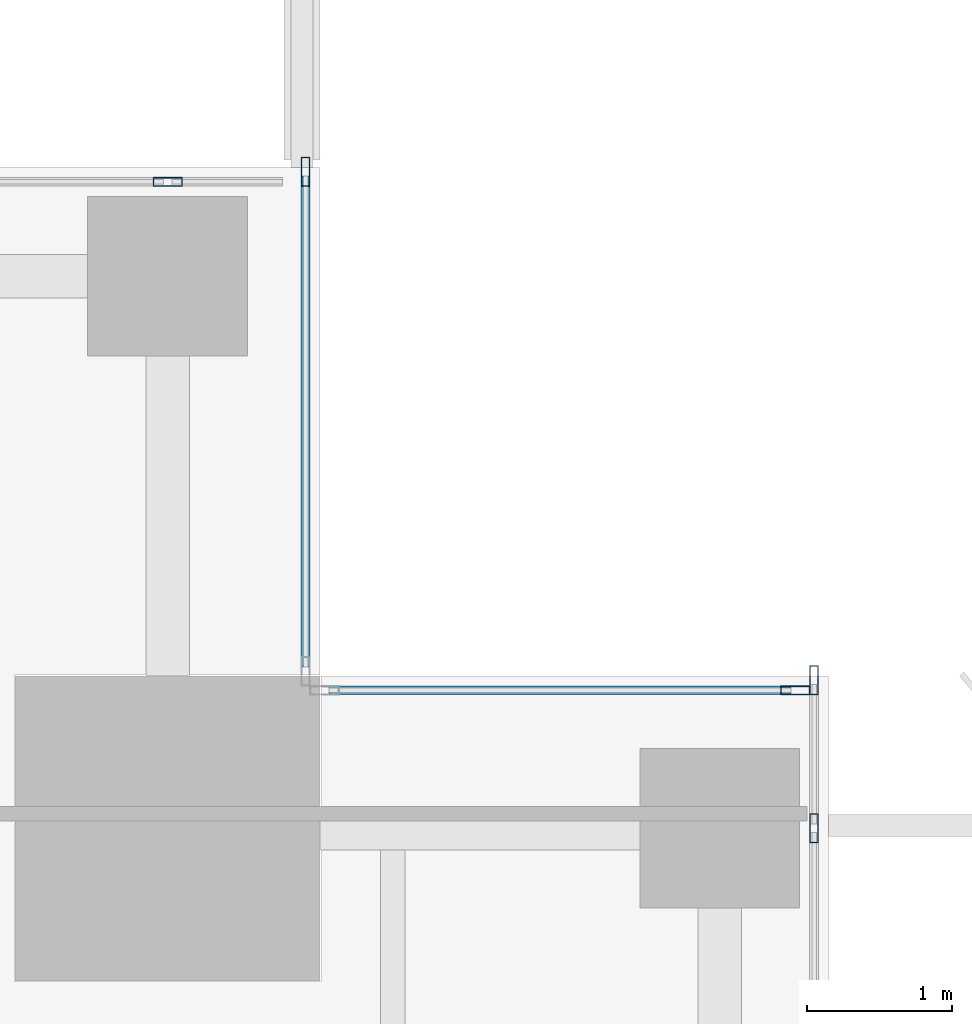
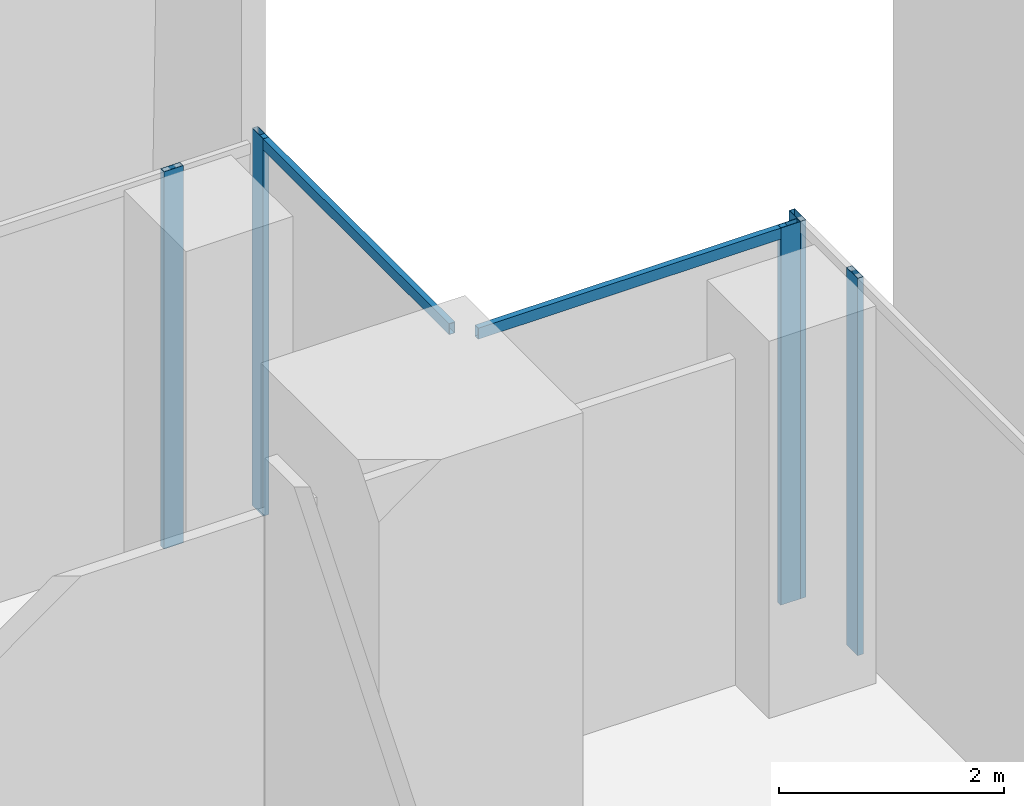
# One storey, part 21 of 36: 7 members, 4 elements without a shape of their own.
"""IFC4 building model written with IfcOpenShell, lengths in metres."""

from ifc_helpers import new_model, si_unit, direction, frame, origin, origin_2d, place, context, subcontext, project, spatial, hollow_rectangle, extrude, source, transform, mapped, material, material_profile, profile_set, type_object, element, aggregate, save


model = new_model("IFC4")

# Units and contexts
model_context = context("Model", 3, precision=1e-05, world=origin(), true_north=direction((0.0, 1.0)))
body_context = subcontext(model_context, "Body", "Model", "MODEL_VIEW")
ifc_project = project(units=[si_unit("LENGTHUNIT", "METRE"), si_unit("AREAUNIT", "SQUARE_METRE"), si_unit("VOLUMEUNIT", "CUBIC_METRE"), si_unit("PLANEANGLEUNIT", "RADIAN"), si_unit("MASSUNIT", "GRAM", prefix="KILO")], contexts=[model_context])

# Site, building, storey
site_placement = place(None, origin())
site = spatial("IfcSite", under=ifc_project, at=site_placement, CompositionType="ELEMENT")
building_placement = place(site_placement, origin())
building = spatial("IfcBuilding", under=site, at=building_placement, Name="Khomas Fold Tower", CompositionType="ELEMENT")
storey_placement = place(building_placement, frame((0.0, 0.0, 141.10009765625)))
storey = spatial("IfcBuildingStorey", under=building, at=storey_placement, Name="L30", CompositionType="ELEMENT", Elevation=141.10009765625)

# Curtain wall, member
ifc_material_1 = material(Name="Aluminium framed double glazing", Category="aluminium")
curtain_wall_type = type_object("IfcCurtainWallType", Name="SK-Unitised clear-glass wall, growing floors CW1", PredefinedType="NOTDEFINED", material=ifc_material_1)
curtain_wall_1_placement = place(storey_placement, origin())
curtain_wall_1 = element("IfcCurtainWall", 1, at=curtain_wall_1_placement, inside=storey, type_object=curtain_wall_type, Name="CW1 corner return L30 04", PredefinedType="NOTDEFINED")
ifc_material_2 = material(Name="Aluminium", Category="aluminium")
ifc_material_profile_1 = material_profile(ifc_material_2, hollow_rectangle(XDim=0.06005859375, YDim=0.1201171875, WallThickness=0.00390625, at=origin_2d()), Name="SK-Unitised clear-glass wall, growing floors transom CW1-T")
ifc_profile_set_1 = profile_set([ifc_material_profile_1], Name="Aluminium")
member_type_1 = type_object("IfcMemberType", Name="SK-Unitised clear-glass wall, growing floors transom CW1-T", PredefinedType="USERDEFINED", material=ifc_profile_set_1)
shared_shape_1 = source(origin(), body_context, "Body", "SweptSolid", [
    extrude(hollow_rectangle(XDim=0.06005859375, YDim=0.1201171875, WallThickness=0.00390625, at=origin_2d()), origin(), (0.0, 0.0, 1.0), 3.179931640625),
])
member_1_placement = place(storey_placement, frame((52.239990234375, 48.89990234375, 4.039794921875), z_axis=(-1.0, 0.0, 0.0), x_axis=(0.0, -1.0, 0.0)))
member_1 = element("IfcMember", 2, at=member_1_placement, type_object=member_type_1, Name="CW1 transom 1", ObjectType="TRANSOM", PredefinedType="USERDEFINED", context=body_context, shape_type="MappedRepresentation", body=[
    mapped(shared_shape_1, transform((0.0, 0.0, 0.0))),
])

curtain_wall_2_placement = place(storey_placement, origin())
curtain_wall_2 = element("IfcCurtainWall", 3, at=curtain_wall_2_placement, inside=storey, type_object=curtain_wall_type, Name="CW1 corner return L30 05", PredefinedType="NOTDEFINED")
shared_shape_2 = source(origin(), body_context, "Body", "SweptSolid", [
    extrude(hollow_rectangle(XDim=0.06005859375, YDim=0.1201171875, WallThickness=0.00390625, at=origin_2d()), origin(), (0.0, 0.0, 1.0), 3.3798828125),
])
member_2_placement = place(storey_placement, frame((48.89990234375, 49.06005859375, 4.039794921875), z_axis=(0.0, 1.0, 0.0), x_axis=(-1.0, 0.0, 0.0)))
member_2 = element("IfcMember", 4, at=member_2_placement, type_object=member_type_1, Name="CW1 transom 1", ObjectType="TRANSOM", PredefinedType="USERDEFINED", context=body_context, shape_type="MappedRepresentation", body=[
    mapped(shared_shape_2, transform((0.0, 0.0, 0.0))),
])

# Curtain wall, members
curtain_wall_3_placement = place(storey_placement, origin())
curtain_wall_3 = element("IfcCurtainWall", 5, at=curtain_wall_3_placement, inside=storey, type_object=curtain_wall_type, Name="CW1 run L30 03-1", PredefinedType="NOTDEFINED")
ifc_material_3 = material(Name="Aluminium", Category="aluminium")
ifc_material_profile_2 = material_profile(ifc_material_3, hollow_rectangle(XDim=0.06005859375, YDim=0.199951171875, WallThickness=0.00390625, at=origin_2d()), Name="SK-Unitised clear-glass wall, growing floors mullion CW1-M")
ifc_profile_set_2 = profile_set([ifc_material_profile_2], Name="Aluminium")
member_type_2 = type_object("IfcMemberType", Name="SK-Unitised clear-glass wall, growing floors mullion CW1-M", PredefinedType="MULLION", material=ifc_profile_set_2)
shared_shape_3 = source(origin(), body_context, "Body", "SweptSolid", [
    extrude(hollow_rectangle(XDim=0.06005859375, YDim=0.199951171875, WallThickness=0.00390625, at=origin_2d()), origin(), (0.0, 0.0, 1.0), 4.099853515625),
])
member_3_placement = place(storey_placement, frame((52.39990234375, 47.949951171875, 0.0), z_axis=(0.0, 0.0, 1.0), x_axis=(-1.0, 0.0, 0.0)))
member_3 = element("IfcMember", 6, at=member_3_placement, type_object=member_type_2, Name="CW1 mullion 5", PredefinedType="MULLION", context=body_context, shape_type="MappedRepresentation", body=[
    mapped(shared_shape_3, transform((0.0, 0.0, 0.0))),
])
member_4_placement = place(storey_placement, frame((52.39990234375, 48.969970703125, 0.0), z_axis=(0.0, 0.0, 1.0), x_axis=(-1.0, 0.0, 0.0)))
member_4 = element("IfcMember", 7, at=member_4_placement, type_object=member_type_2, Name="CW1 mullion 6", PredefinedType="MULLION", context=body_context, shape_type="MappedRepresentation", body=[
    mapped(shared_shape_3, transform((0.0, 0.0, 0.0))),
])
aggregate(curtain_wall_3, [member_3, member_4])

# Member
member_5_placement = place(storey_placement, frame((52.27001953125, 48.89990234375, 0.0), z_axis=(0.0, 0.0, 1.0), x_axis=(0.0, -1.0, 0.0)))
member_5 = element("IfcMember", 8, at=member_5_placement, type_object=member_type_2, Name="CW1 mullion 1", PredefinedType="MULLION", context=body_context, shape_type="MappedRepresentation", body=[
    mapped(shared_shape_3, transform((0.0, 0.0, 0.0))),
])

aggregate(curtain_wall_1, [member_5, member_1])

member_6_placement = place(storey_placement, frame((48.89990234375, 52.469970703125, 0.0), z_axis=(0.0, 0.0, 1.0), x_axis=(-1.0, 0.0, 0.0)))
member_6 = element("IfcMember", 9, at=member_6_placement, type_object=member_type_2, Name="CW1 mullion 2", PredefinedType="MULLION", context=body_context, shape_type="MappedRepresentation", body=[
    mapped(shared_shape_3, transform((0.0, 0.0, 0.0))),
])

aggregate(curtain_wall_2, [member_6, member_2])

# Curtain wall, member
curtain_wall_4_placement = place(storey_placement, origin())
curtain_wall_4 = element("IfcCurtainWall", 10, at=curtain_wall_4_placement, inside=storey, type_object=curtain_wall_type, Name="CW1 run L30 06-0", PredefinedType="NOTDEFINED")
member_7_placement = place(storey_placement, frame((47.949951171875, 52.39990234375, 0.0), z_axis=(0.0, 0.0, 1.0), x_axis=(0.0, -1.0, 0.0)))
member_7 = element("IfcMember", 11, at=member_7_placement, type_object=member_type_2, Name="CW1 mullion 2", PredefinedType="MULLION", context=body_context, shape_type="MappedRepresentation", body=[
    mapped(shared_shape_3, transform((0.0, 0.0, 0.0))),
])
aggregate(curtain_wall_4, [member_7])

save(model, "model.ifc")
